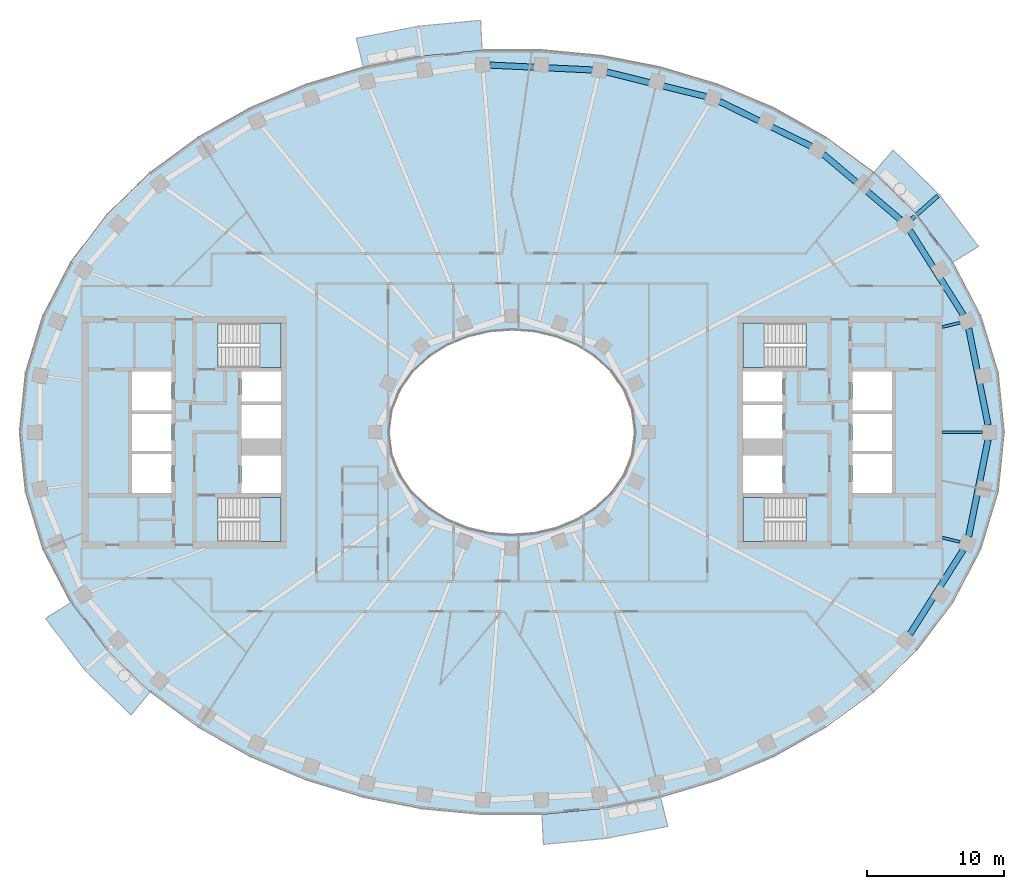
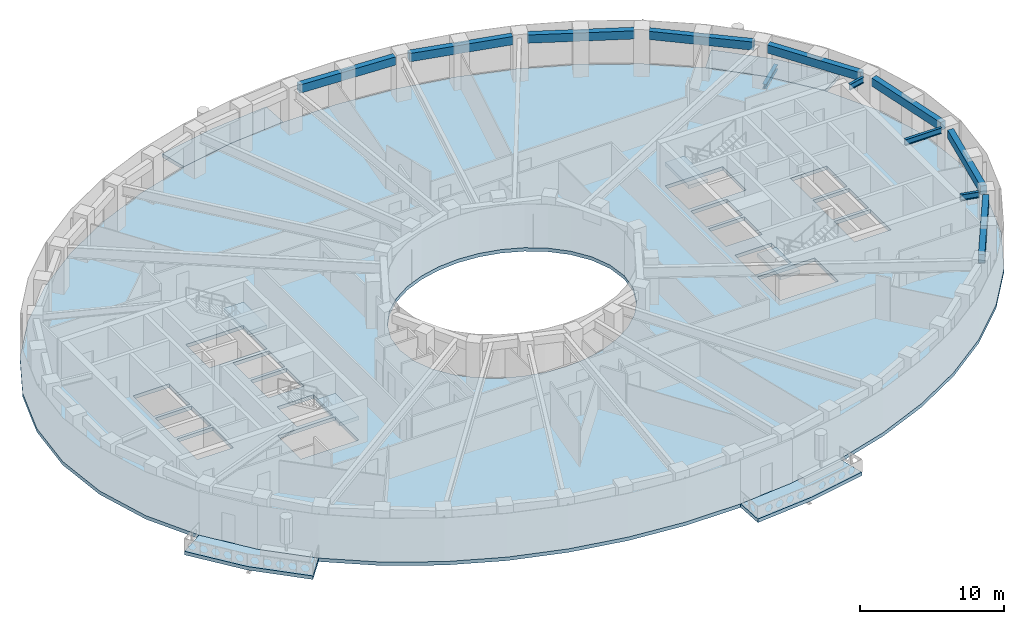
# One storey, part 2 of 16: 12 beams, 9 slabs, 4 elements without a shape of their own.
"""IFC4 building model written with IfcOpenShell, lengths in metres."""

from ifc_helpers import new_model, si_unit, direction, frame, origin, origin_2d, place, context, subcontext, project, spatial, polyline, rectangle, i_section, outline, extrude, material, layer, layer_set, material_profile, profile_set, type_object, element, aggregate, save


model = new_model("IFC4")

# Units and contexts
model_context = context("Model", 3, precision=1e-05, world=origin(), true_north=direction((0.0, 1.0)))
body_context = subcontext(model_context, "Body", "Model", "MODEL_VIEW")
ifc_project = project(units=[si_unit("LENGTHUNIT", "METRE"), si_unit("AREAUNIT", "SQUARE_METRE"), si_unit("VOLUMEUNIT", "CUBIC_METRE"), si_unit("PLANEANGLEUNIT", "RADIAN"), si_unit("MASSUNIT", "GRAM", prefix="KILO")], contexts=[model_context])

# Site, building, storey
site_placement = place(None, origin())
site = spatial("IfcSite", under=ifc_project, at=site_placement, CompositionType="ELEMENT")
building_placement = place(site_placement, origin())
building = spatial("IfcBuilding", under=site, at=building_placement, Name="Noorbagh Ring Tower", CompositionType="ELEMENT")
storey_placement = place(building_placement, frame((0.0, 0.0, 257.5)))
storey = spatial("IfcBuildingStorey", under=building, at=storey_placement, Name="L54", CompositionType="ELEMENT", Elevation=257.5)

# Beams
ifc_material_1 = material(Name="Steel S355", Category="steel")
ifc_material_profile_1 = material_profile(ifc_material_1, i_section(OverallWidth=0.300048828125, OverallDepth=0.39990234375, WebThickness=0.013427734375, FlangeThickness=0.02392578125, FilletRadius=0.027099609375, at=origin_2d()), Name="HEB400")
ifc_profile_set_1 = profile_set([ifc_material_profile_1], Name="Steel S355")
beam_type_1 = type_object("IfcBeamType", Name="STR-BALCONY-BRACKET-HEB400", PredefinedType="BEAM", material=ifc_profile_set_1)
beam_1_placement = place(storey_placement, frame((29.2158203125, 15.58154296875, -0.5), z_axis=(0.749036305026, 0.662528953144, 0.0), x_axis=(-0.662528953144, 0.749036305026, 0.0)))
element("IfcBeam", 1, at=beam_1_placement, inside=storey, type_object=beam_type_1, Name="Balcony bracket beam BN01", PredefinedType="BEAM", context=body_context, shape_type="SweptSolid", body=[
    extrude(i_section(OverallWidth=0.300048828125, OverallDepth=0.39990234375, WebThickness=0.013427734375, FlangeThickness=0.02392578125, FilletRadius=0.027099609375, at=origin_2d()), origin(), (0.0, 0.0, 1.0), 2.57958984375),
])
ifc_material_2 = material(Name="Steel S355", Category="steel")
ifc_material_profile_2 = material_profile(ifc_material_2, i_section(OverallWidth=0.199951171875, OverallDepth=0.5, WebThickness=0.01025390625, FlangeThickness=0.01611328125, FilletRadius=0.02099609375, at=origin_2d()), Name="IPE500")
ifc_profile_set_2 = profile_set([ifc_material_profile_2], Name="Steel S355")
beam_type_2 = type_object("IfcBeamType", Name="STR-RAD-IPE500", PredefinedType="BEAM", material=ifc_profile_set_2)
beam_2_placement = place(storey_placement, frame((34.414794921875, 0.0, 3.449951171875), z_axis=(-1.0, 0.0, 0.0), x_axis=(0.0, -1.0, 0.0)))
element("IfcBeam", 2, at=beam_2_placement, inside=storey, type_object=beam_type_2, Name="L54/bm/RD01", PredefinedType="BEAM", context=body_context, shape_type="SweptSolid", body=[
    extrude(i_section(OverallWidth=0.199951171875, OverallDepth=0.5, WebThickness=0.01025390625, FlangeThickness=0.01611328125, FilletRadius=0.02099609375, at=origin_2d()), origin(), (0.0, 0.0, 1.0), 2.934814453125),
])
for number, where, z_axis, x_axis, name in (
    (3, (32.784423828125, 8.02197265625, 3.449951171875), (-0.971339314725, -0.23769715116, 0.0), (0.23769715116, -0.971339314725, 0.0), "L54/bm/RD03"),
    (4, (32.784423828125, -8.02197265625, 3.449951171875), (-0.971339314725, 0.23769715116, 0.0), (-0.23769715116, -0.971339314725, 0.0), "L54/bm/RD45"),
):
    element("IfcBeam", number, at=place(storey_placement, frame(where, z_axis=z_axis, x_axis=x_axis)), inside=storey, type_object=beam_type_2, Name=name, PredefinedType="BEAM", context=body_context, shape_type="SweptSolid", body=[
        extrude(i_section(OverallWidth=0.199951171875, OverallDepth=0.5, WebThickness=0.01025390625, FlangeThickness=0.01611328125, FilletRadius=0.02099609375, at=origin_2d()), origin(), (0.0, 0.0, 1.0), 1.342529296875),
    ])
ifc_material_3 = material(Name="Concrete C40/50", Category="concrete")
ifc_material_profile_3 = material_profile(ifc_material_3, rectangle(XDim=0.449951171875, YDim=0.699951171875, at=origin_2d()), Name="RC450x700")
ifc_profile_set_3 = profile_set([ifc_material_profile_3], Name="Concrete C40/50")
beam_type_3 = type_object("IfcBeamType", Name="STR-SB-RC450x700-C40-50", PredefinedType="BEAM", material=ifc_profile_set_3)
beam_3_placement = place(storey_placement, frame((34.837890625, 0.5302734375, 3.35009765625), z_axis=(-0.197226195613, 0.980358009996, 0.0), x_axis=(-0.980358009996, -0.197226195613, 0.0)))
element("IfcBeam", 5, at=beam_3_placement, inside=storey, type_object=beam_type_3, Name="L54/bm/SP01", PredefinedType="BEAM", context=body_context, shape_type="SweptSolid", body=[
    extrude(rectangle(XDim=0.449951171875, YDim=0.699951171875, at=origin_2d()), origin(), (0.0, 0.0, 1.0), 7.231689453125),
])
beam_4_placement = place(storey_placement, frame((33.016845703125, 8.604248046875, 3.35009765625), z_axis=(-0.535181639591, 0.844737007977, 0.0), x_axis=(-0.844737007977, -0.535181639591, 0.0)))
element("IfcBeam", 6, at=beam_4_placement, inside=storey, type_object=beam_type_3, Name="L54/bm/SP03", PredefinedType="BEAM", context=body_context, shape_type="SweptSolid", body=[
    extrude(rectangle(XDim=0.449951171875, YDim=0.699951171875, at=origin_2d()), origin(), (0.0, 0.0, 1.0), 7.30712890625),
])
beam_5_placement = place(storey_placement, frame((28.41015625, 15.57666015625, 3.35009765625), z_axis=(-0.763041647575, 0.646349320465, 0.0), x_axis=(-0.646349320465, -0.763041647575, 0.0)))
element("IfcBeam", 7, at=beam_5_placement, inside=storey, type_object=beam_type_3, Name="L54/bm/SP05", PredefinedType="BEAM", context=body_context, shape_type="SweptSolid", body=[
    extrude(rectangle(XDim=0.449951171875, YDim=0.699951171875, at=origin_2d()), origin(), (0.0, 0.0, 1.0), 7.3916015625),
])
beam_6_placement = place(storey_placement, frame((21.88232421875, 20.934326171875, 3.35009765625), z_axis=(-0.898395566206, 0.43918721136, 0.0), x_axis=(-0.43918721136, -0.898395566206, 0.0)))
element("IfcBeam", 8, at=beam_6_placement, inside=storey, type_object=beam_type_3, Name="L54/bm/SP07", PredefinedType="BEAM", context=body_context, shape_type="SweptSolid", body=[
    extrude(rectangle(XDim=0.449951171875, YDim=0.699951171875, at=origin_2d()), origin(), (0.0, 0.0, 1.0), 7.45068359375),
])
beam_7_placement = place(storey_placement, frame((14.192138671875, 24.568603515625, 3.35009765625), z_axis=(-0.970829382675, 0.239771369713, 0.0), x_axis=(-0.239771369713, -0.970829382675, 0.0)))
element("IfcBeam", 9, at=beam_7_placement, inside=storey, type_object=beam_type_3, Name="L54/bm/SP09", PredefinedType="BEAM", context=body_context, shape_type="SweptSolid", body=[
    extrude(rectangle(XDim=0.449951171875, YDim=0.699951171875, at=origin_2d()), origin(), (0.0, 0.0, 1.0), 7.48388671875),
])
beam_8_placement = place(storey_placement, frame((5.877197265625, 26.51611328125, 3.35009765625), z_axis=(-0.998869095319, 0.047545035672, 0.0), x_axis=(-0.047545035672, -0.998869095319, 0.0)))
element("IfcBeam", 10, at=beam_8_placement, inside=storey, type_object=beam_type_3, Name="L54/bm/SP11", PredefinedType="BEAM", context=body_context, shape_type="SweptSolid", body=[
    extrude(rectangle(XDim=0.449951171875, YDim=0.699951171875, at=origin_2d()), origin(), (0.0, 0.0, 1.0), 7.4970703125),
])
beam_9_placement = place(storey_placement, frame((29.106201171875, -14.77685546875, 3.35009765625), z_axis=(0.535181639591, 0.844737007977, 0.0), x_axis=(-0.844737007977, 0.535181639591, 0.0)))
element("IfcBeam", 11, at=beam_9_placement, inside=storey, type_object=beam_type_3, Name="L54/bm/SP43", PredefinedType="BEAM", context=body_context, shape_type="SweptSolid", body=[
    extrude(rectangle(XDim=0.449951171875, YDim=0.699951171875, at=origin_2d()), origin(), (0.0, 0.0, 1.0), 7.30712890625),
])
beam_10_placement = place(storey_placement, frame((33.41162109375, -7.619873046875, 3.35009765625), z_axis=(0.197226195613, 0.980358009996, 0.0), x_axis=(-0.980358009996, 0.197226195613, 0.0)))
element("IfcBeam", 12, at=beam_10_placement, inside=storey, type_object=beam_type_3, Name="L54/bm/SP45", PredefinedType="BEAM", context=body_context, shape_type="SweptSolid", body=[
    extrude(rectangle(XDim=0.449951171875, YDim=0.699951171875, at=origin_2d()), origin(), (0.0, 0.0, 1.0), 7.231689453125),
])

# Stair, slab
ifc_material_4 = material(Name="Concrete C40/50", Category="concrete")
stair_type = type_object("IfcStairType", Name="CORE-STAIR", PredefinedType="HALF_TURN_STAIR", material=ifc_material_4)
stair_1_placement = place(storey_placement, origin())
stair_1 = element("IfcStair", 13, at=stair_1_placement, inside=storey, type_object=stair_type, Name="L54 Exit stair ST1", PredefinedType="HALF_TURN_STAIR")
ifc_material_5 = material(Name="Concrete C40/50", Category="concrete")
ifc_layer_1 = layer(ifc_material_5, 0.300048828125)
ifc_layer_set_1 = layer_set([ifc_layer_1], Name="Concrete C40/50")
slab_type_1 = type_object("IfcSlabType", Name="CORE-STAIR-LANDING", PredefinedType="LANDING", material=ifc_layer_set_1)
slab_1_placement = place(storey_placement, frame((0.0, 0.0, 1.699951171875)))
slab_1 = element("IfcSlab", 14, at=slab_1_placement, type_object=slab_type_1, Name="ST1 landing 1", PredefinedType="LANDING", context=body_context, shape_type="SweptSolid", body=[
    extrude(outline(polyline([(-18.449951171875, 4.75), (-16.89990234375, 4.75), (-16.89990234375, 8.0), (-18.449951171875, 8.0), (-18.449951171875, 4.75)])), origin(), (0.0, 0.0, 1.0), 0.300048828125),
])
aggregate(stair_1, [slab_1])

stair_2_placement = place(storey_placement, origin())
stair_2 = element("IfcStair", 15, at=stair_2_placement, inside=storey, type_object=stair_type, Name="L54 Exit stair ST2", PredefinedType="HALF_TURN_STAIR")
slab_2_placement = place(storey_placement, frame((0.0, 0.0, 1.699951171875)))
slab_2 = element("IfcSlab", 16, at=slab_2_placement, type_object=slab_type_1, Name="ST2 landing 1", PredefinedType="LANDING", context=body_context, shape_type="SweptSolid", body=[
    extrude(outline(polyline([(-18.449951171875, -8.0), (-16.89990234375, -8.0), (-16.89990234375, -4.75), (-18.449951171875, -4.75), (-18.449951171875, -8.0)])), origin(), (0.0, 0.0, 1.0), 0.300048828125),
])
aggregate(stair_2, [slab_2])

stair_3_placement = place(storey_placement, origin())
stair_3 = element("IfcStair", 17, at=stair_3_placement, inside=storey, type_object=stair_type, Name="L54 Exit stair ST3", PredefinedType="HALF_TURN_STAIR")
slab_3_placement = place(storey_placement, frame((0.0, 0.0, 1.699951171875)))
slab_3 = element("IfcSlab", 18, at=slab_3_placement, type_object=slab_type_1, Name="ST3 landing 1", PredefinedType="LANDING", context=body_context, shape_type="SweptSolid", body=[
    extrude(outline(polyline([(18.449951171875, 8.0), (16.89990234375, 8.0), (16.89990234375, 4.75), (18.449951171875, 4.75), (18.449951171875, 8.0)])), origin(), (0.0, 0.0, 1.0), 0.300048828125),
])
aggregate(stair_3, [slab_3])

stair_4_placement = place(storey_placement, origin())
stair_4 = element("IfcStair", 19, at=stair_4_placement, inside=storey, type_object=stair_type, Name="L54 Exit stair ST4", PredefinedType="HALF_TURN_STAIR")
slab_4_placement = place(storey_placement, frame((0.0, 0.0, 1.699951171875)))
slab_4 = element("IfcSlab", 20, at=slab_4_placement, type_object=slab_type_1, Name="ST4 landing 1", PredefinedType="LANDING", context=body_context, shape_type="SweptSolid", body=[
    extrude(outline(polyline([(18.449951171875, -4.75), (16.89990234375, -4.75), (16.89990234375, -8.0), (18.449951171875, -8.0), (18.449951171875, -4.75)])), origin(), (0.0, 0.0, 1.0), 0.300048828125),
])
aggregate(stair_4, [slab_4])

# Slabs
ifc_material_6 = material(Name="Concrete C40/50", Category="concrete")
ifc_layer_2 = layer(ifc_material_6, 0.300048828125)
ifc_layer_set_2 = layer_set([ifc_layer_2], Name="Concrete C40/50")
slab_type_2 = type_object("IfcSlabType", Name="ENV-BALCONY DECK 300", PredefinedType="FLOOR", material=ifc_layer_set_2)
slab_5_placement = place(storey_placement, frame((0.0, 0.0, -0.300048828125)))
element("IfcSlab", 21, at=slab_5_placement, inside=storey, type_object=slab_type_2, Name="Tree balcony deck BN01", PredefinedType="FLOOR", context=body_context, shape_type="SweptSolid", body=[
    extrude(outline(polyline([(34.120361328125, 13.615966796875), (31.26025390625, 17.389892578125), (27.888671875, 20.665771484375), (26.463134765625, 18.983154296875), (29.607666015625, 15.92822265625), (32.255126953125, 12.434814453125), (34.120361328125, 13.615966796875)])), origin(), (0.0, 0.0, 1.0), 0.300048828125),
])
slab_6_placement = place(storey_placement, frame((0.0, 0.0, -0.300048828125)))
element("IfcSlab", 22, at=slab_6_placement, inside=storey, type_object=slab_type_2, Name="Tree balcony deck BN04", PredefinedType="FLOOR", context=body_context, shape_type="SweptSolid", body=[
    extrude(outline(polyline([(-2.2978515625, 30.14794921875), (-6.874755859375, 29.711181640625), (-11.3935546875, 28.832763671875), (-10.865234375, 26.6943359375), (-6.5595703125, 27.53125), (-2.193115234375, 27.947998046875), (-2.2978515625, 30.14794921875)])), origin(), (0.0, 0.0, 1.0), 0.300048828125),
])
slab_7_placement = place(storey_placement, frame((0.0, 0.0, -0.300048828125)))
element("IfcSlab", 23, at=slab_7_placement, inside=storey, type_object=slab_type_2, Name="Tree balcony deck BS01", PredefinedType="FLOOR", context=body_context, shape_type="SweptSolid", body=[
    extrude(outline(polyline([(-34.120361328125, -13.615966796875), (-31.26025390625, -17.389892578125), (-27.888671875, -20.665771484375), (-26.463134765625, -18.983154296875), (-29.607666015625, -15.92822265625), (-32.255126953125, -12.434814453125), (-34.120361328125, -13.615966796875)])), origin(), (0.0, 0.0, 1.0), 0.300048828125),
])
slab_8_placement = place(storey_placement, frame((0.0, 0.0, -0.300048828125)))
element("IfcSlab", 24, at=slab_8_placement, inside=storey, type_object=slab_type_2, Name="Tree balcony deck BS04", PredefinedType="FLOOR", context=body_context, shape_type="SweptSolid", body=[
    extrude(outline(polyline([(2.2978515625, -30.14794921875), (6.874755859375, -29.711181640625), (11.3935546875, -28.832763671875), (10.865234375, -26.6943359375), (6.5595703125, -27.53125), (2.193115234375, -27.947998046875), (2.2978515625, -30.14794921875)])), origin(), (0.0, 0.0, 1.0), 0.300048828125),
])
ifc_material_7 = material(Name="Concrete C40/50", Category="concrete")
ifc_layer_3 = layer(ifc_material_7, 0.300048828125)
ifc_layer_set_3 = layer_set([ifc_layer_3], Name="Concrete C40/50")
slab_type_3 = type_object("IfcSlabType", Name="STR-FLOOR-DECK-300", PredefinedType="FLOOR", material=ifc_layer_set_3)
slab_9_placement = place(storey_placement, frame((0.0, 0.0, -0.300048828125)))
element("IfcSlab", 25, at=slab_9_placement, inside=storey, type_object=slab_type_3, Name="L54/slab/1", PredefinedType="FLOOR", context=body_context, shape_type="SweptSolid", body=[
    extrude(outline(polyline([(36.0, 0.0), (35.56103515625, 4.358642578125), (34.281005859375, 8.548828125), (32.255126953125, 12.434814453125), (29.607666015625, 15.92822265625), (26.463134765625, 18.983154296875), (22.9326171875, 21.583740234375), (19.108154296875, 23.730224609375), (15.0654296875, 25.430419921875), (10.865234375, 26.6943359375), (6.5595703125, 27.53125), (2.193115234375, 27.947998046875), (-2.193115234375, 27.947998046875), (-6.5595703125, 27.53125), (-10.865234375, 26.6943359375), (-15.0654296875, 25.430419921875), (-19.108154296875, 23.730224609375), (-22.9326171875, 21.583740234375), (-26.463134765625, 18.983154296875), (-29.607666015625, 15.92822265625), (-32.255126953125, 12.434814453125), (-34.281005859375, 8.548828125), (-35.56103515625, 4.358642578125), (-36.0, 0.0), (-35.56103515625, -4.358642578125), (-34.281005859375, -8.548828125), (-32.255126953125, -12.434814453125), (-29.607666015625, -15.92822265625), (-26.463134765625, -18.983154296875), (-22.9326171875, -21.583740234375), (-19.108154296875, -23.730224609375), (-15.0654296875, -25.430419921875), (-10.865234375, -26.6943359375), (-6.5595703125, -27.53125), (-2.193115234375, -27.947998046875), (2.193115234375, -27.947998046875), (6.5595703125, -27.53125), (10.865234375, -26.6943359375), (15.0654296875, -25.430419921875), (19.108154296875, -23.730224609375), (22.9326171875, -21.583740234375), (26.463134765625, -18.983154296875), (29.607666015625, -15.92822265625), (32.255126953125, -12.434814453125), (34.281005859375, -8.548828125), (35.56103515625, -4.358642578125), (36.0, 0.0)]), holes=[polyline([(24.89990234375, 4.449951171875), (27.800048828125, 4.449951171875), (27.800048828125, 1.60009765625), (24.89990234375, 1.60009765625), (24.89990234375, 4.449951171875)]), polyline([(24.89990234375, 1.35009765625), (27.800048828125, 1.35009765625), (27.800048828125, -1.35009765625), (24.89990234375, -1.35009765625), (24.89990234375, 1.35009765625)]), polyline([(24.89990234375, -1.60009765625), (27.800048828125, -1.60009765625), (27.800048828125, -4.449951171875), (24.89990234375, -4.449951171875), (24.89990234375, -1.60009765625)]), polyline([(21.529541015625, -8.0), (16.89990234375, -8.0), (16.89990234375, -4.75), (21.529541015625, -4.75), (21.529541015625, -8.0)]), polyline([(16.89990234375, 4.75), (16.89990234375, 8.0), (21.529541015625, 8.0), (21.529541015625, 4.75), (16.89990234375, 4.75)]), polyline([(19.800048828125, 4.449951171875), (19.800048828125, 2.25), (16.89990234375, 2.25), (16.89990234375, 4.449951171875), (19.800048828125, 4.449951171875)]), polyline([(16.89990234375, 2.0), (19.800048828125, 2.0), (19.800048828125, -0.449951171875), (16.89990234375, -0.449951171875), (16.89990234375, 2.0)]), polyline([(16.89990234375, -1.699951171875), (19.800048828125, -1.699951171875), (19.800048828125, -4.449951171875), (16.89990234375, -4.449951171875), (16.89990234375, -1.699951171875)]), polyline([(4.697509765625, -6.3974609375), (3.196533203125, -7.010986328125), (1.6171875, -7.3779296875), (0.0, -7.5), (-1.6171875, -7.3779296875), (-3.196533203125, -7.010986328125), (-4.697509765625, -6.3974609375), (-6.071044921875, -5.53662109375), (-7.2587890625, -4.43408203125), (-8.1904296875, -3.10888671875), (-8.79150390625, -1.605224609375), (-9.0, 0.0), (-8.79150390625, 1.605224609375), (-8.1904296875, 3.10888671875), (-7.2587890625, 4.43408203125), (-6.071044921875, 5.53662109375), (-4.697509765625, 6.3974609375), (-3.196533203125, 7.010986328125), (-1.6171875, 7.3779296875), (0.0, 7.5), (1.6171875, 7.3779296875), (3.196533203125, 7.010986328125), (4.697509765625, 6.3974609375), (6.071044921875, 5.53662109375), (7.2587890625, 4.43408203125), (8.1904296875, 3.10888671875), (8.79150390625, 1.605224609375), (9.0, 0.0), (8.79150390625, -1.605224609375), (8.1904296875, -3.10888671875), (7.2587890625, -4.43408203125), (6.071044921875, -5.53662109375), (4.697509765625, -6.3974609375)]), polyline([(-16.89990234375, 2.25), (-19.800048828125, 2.25), (-19.800048828125, 4.449951171875), (-16.89990234375, 4.449951171875), (-16.89990234375, 2.25)]), polyline([(-16.89990234375, -0.449951171875), (-19.800048828125, -0.449951171875), (-19.800048828125, 2.0), (-16.89990234375, 2.0), (-16.89990234375, -0.449951171875)]), polyline([(-16.89990234375, -4.449951171875), (-19.800048828125, -4.449951171875), (-19.800048828125, -1.699951171875), (-16.89990234375, -1.699951171875), (-16.89990234375, -4.449951171875)]), polyline([(-21.529541015625, 8.0), (-16.89990234375, 8.0), (-16.89990234375, 4.75), (-21.529541015625, 4.75), (-21.529541015625, 8.0)]), polyline([(-21.529541015625, -4.75), (-16.89990234375, -4.75), (-16.89990234375, -8.0), (-21.529541015625, -8.0), (-21.529541015625, -4.75)]), polyline([(-24.89990234375, -4.449951171875), (-27.800048828125, -4.449951171875), (-27.800048828125, -1.60009765625), (-24.89990234375, -1.60009765625), (-24.89990234375, -4.449951171875)]), polyline([(-24.89990234375, 1.60009765625), (-27.800048828125, 1.60009765625), (-27.800048828125, 4.449951171875), (-24.89990234375, 4.449951171875), (-24.89990234375, 1.60009765625)]), polyline([(-24.89990234375, -1.35009765625), (-27.800048828125, -1.35009765625), (-27.800048828125, 1.35009765625), (-24.89990234375, 1.35009765625), (-24.89990234375, -1.35009765625)])]), origin(), (0.0, 0.0, 1.0), 0.300048828125),
])

save(model, "model.ifc")
